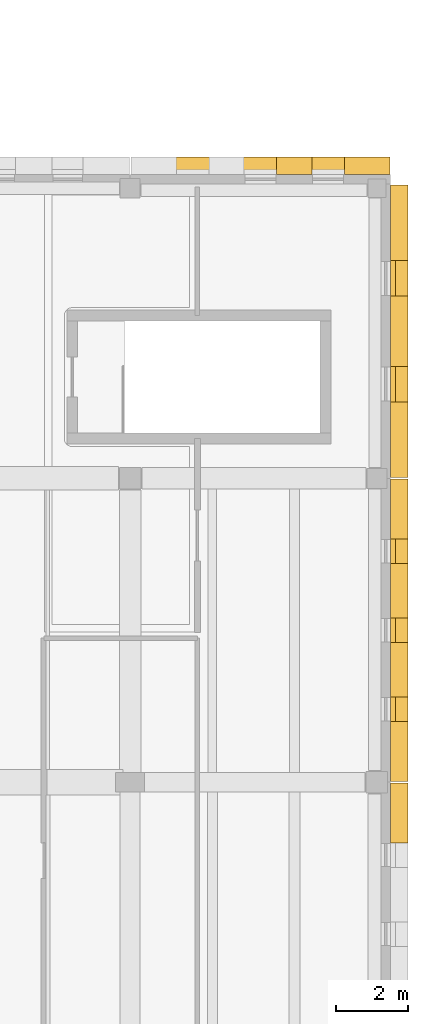
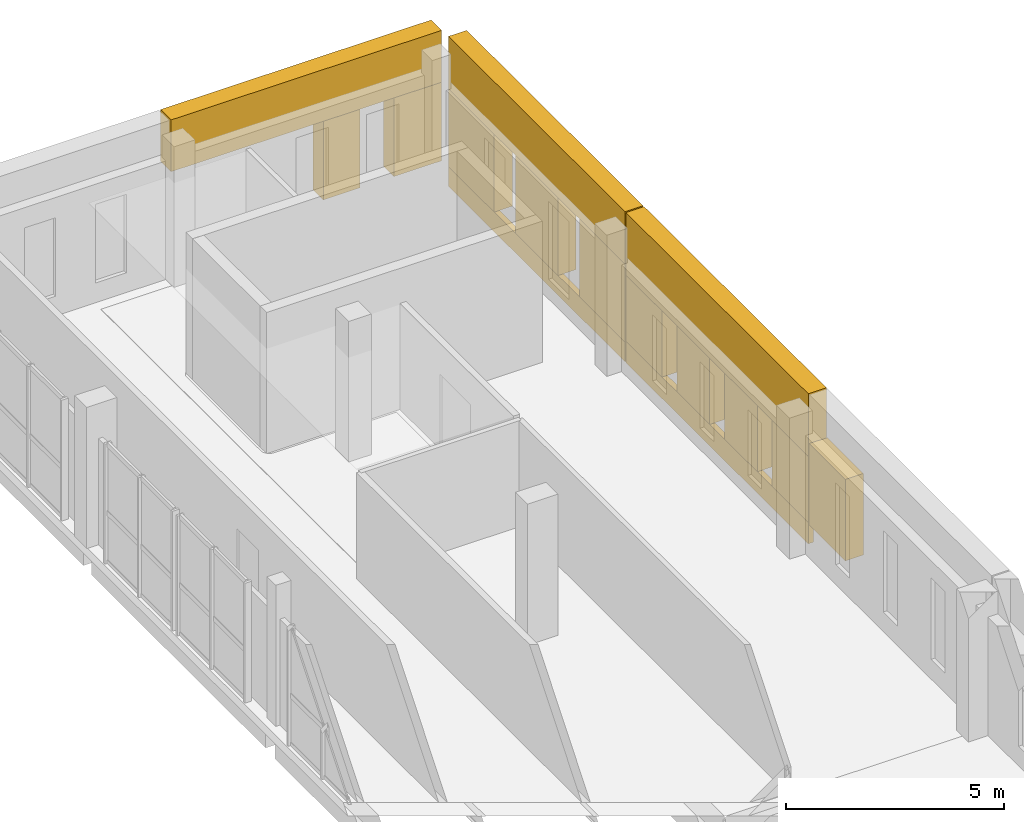
# One storey, part 56 of 56: 15 coverings.
"""IFC4 building model written with IfcOpenShell, lengths in metres."""

from ifc_helpers import new_model, si_unit, direction, frame, origin, place, context, subcontext, project, spatial, polyline, outline, extrude, material, layer, layer_set, type_object, element, save


model = new_model("IFC4")

# Units and contexts
model_context = context("Model", 3, precision=1e-05, world=origin(), true_north=direction((0.0, 1.0)))
body_context = subcontext(model_context, "Body", "Model", "MODEL_VIEW")
ifc_project = project(units=[si_unit("LENGTHUNIT", "METRE"), si_unit("AREAUNIT", "SQUARE_METRE"), si_unit("VOLUMEUNIT", "CUBIC_METRE"), si_unit("PLANEANGLEUNIT", "RADIAN"), si_unit("MASSUNIT", "GRAM", prefix="KILO")], contexts=[model_context])

# Site, building, storey
site_placement = place(None, origin())
site = spatial("IfcSite", under=ifc_project, at=site_placement, CompositionType="ELEMENT")
building_placement = place(site_placement, origin())
building = spatial("IfcBuilding", under=site, at=building_placement, Name="Vardoun Plaza Health Centre", CompositionType="ELEMENT")
storey_placement = place(building_placement, frame((0.0, 0.0, 8.699951171875)))
storey = spatial("IfcBuildingStorey", under=building, at=storey_placement, Name="L02", CompositionType="ELEMENT", Elevation=8.699951171875)

# Coverings
ifc_material = material(Name="Pale Limestone Concrete C35/45", Category="masonry")
ifc_layer = layer(ifc_material, 0.080078125)
ifc_layer_set = layer_set([ifc_layer], Name="Pale Limestone Concrete C35/45")
covering_type = type_object("IfcCoveringType", Name="CL-EXT1", PredefinedType="CLADDING", material=ifc_layer_set)
covering_1_placement = place(storey_placement, frame((0.0, 0.0, 2.75)))
element("IfcCovering", 1, at=covering_1_placement, inside=storey, type_object=covering_type, Name="V6 L02 Sculpted Concrete Eyebrow Hood 1341", PredefinedType="CLADDING", context=body_context, shape_type="SweptSolid", body=[
    extrude(outline(polyline([(158.1201171875, 86.699951171875), (165.280029296875, 86.699951171875), (165.280029296875, 87.179931640625), (158.1201171875, 87.179931640625), (158.1201171875, 86.699951171875)])), origin(), (0.0, 0.0, 1.0), 1.449951171875),
])
covering_2_placement = place(storey_placement, frame((0.0, 0.0, 0.550048828125)))
element("IfcCovering", 2, at=covering_2_placement, inside=storey, type_object=covering_type, Name="V6 L02 Deep-Punched Slot Concrete Reveal Pier 1344", PredefinedType="CLADDING", context=body_context, shape_type="SweptSolid", body=[
    extrude(outline(polyline([(162.14990234375, 86.699951171875), (163.1220703125, 86.699951171875), (163.1220703125, 87.179931640625), (162.14990234375, 87.179931640625), (162.14990234375, 86.699951171875)])), origin(), (0.0, 0.0, 1.0), 2.199951171875),
])
covering_3_placement = place(storey_placement, frame((0.0, 0.0, 0.550048828125)))
element("IfcCovering", 3, at=covering_3_placement, inside=storey, type_object=covering_type, Name="V6 L02 Deep-Punched Slot Concrete Reveal Pier 1345", PredefinedType="CLADDING", context=body_context, shape_type="SweptSolid", body=[
    extrude(outline(polyline([(164.02197265625, 86.699951171875), (165.280029296875, 86.699951171875), (165.280029296875, 87.179931640625), (164.02197265625, 87.179931640625), (164.02197265625, 86.699951171875)])), origin(), (0.0, 0.0, 1.0), 2.199951171875),
])
covering_4_placement = place(storey_placement, origin())
element("IfcCovering", 4, at=covering_4_placement, inside=storey, type_object=covering_type, Name="V6 L02 Pale Concrete Sill Band 1346", PredefinedType="CLADDING", context=body_context, shape_type="SweptSolid", body=[
    extrude(outline(polyline([(165.300048828125, 86.4150390625), (165.300048828125, 78.320068359375), (165.43994140625, 78.320068359375), (165.43994140625, 86.4150390625), (165.300048828125, 86.4150390625)])), origin(), (0.0, 0.0, 1.0), 0.550048828125),
])
covering_5_placement = place(storey_placement, frame((0.0, 0.0, 2.72998046875)))
element("IfcCovering", 5, at=covering_5_placement, inside=storey, type_object=covering_type, Name="V6 L02 Sculpted Concrete Eyebrow Hood 1347", PredefinedType="CLADDING", context=body_context, shape_type="SweptSolid", body=[
    extrude(outline(polyline([(165.300048828125, 86.4150390625), (165.300048828125, 78.320068359375), (165.780029296875, 78.320068359375), (165.780029296875, 86.4150390625), (165.300048828125, 86.4150390625)])), origin(), (0.0, 0.0, 1.0), 1.469970703125),
])
covering_6_placement = place(storey_placement, frame((0.0, 0.0, 0.550048828125)))
element("IfcCovering", 6, at=covering_6_placement, inside=storey, type_object=covering_type, Name="V6 L02 Deep-Punched Slot Concrete Reveal Pier 1348", PredefinedType="CLADDING", context=body_context, shape_type="SweptSolid", body=[
    extrude(outline(polyline([(165.300048828125, 86.4150390625), (165.300048828125, 84.32177734375), (165.780029296875, 84.32177734375), (165.780029296875, 86.4150390625), (165.300048828125, 86.4150390625)])), origin(), (0.0, 0.0, 1.0), 2.179931640625),
])
covering_7_placement = place(storey_placement, frame((0.0, 0.0, 0.550048828125)))
element("IfcCovering", 7, at=covering_7_placement, inside=storey, type_object=covering_type, Name="V6 L02 Deep-Punched Slot Concrete Reveal Pier 1349", PredefinedType="CLADDING", context=body_context, shape_type="SweptSolid", body=[
    extrude(outline(polyline([(165.300048828125, 83.341796875), (165.300048828125, 81.393310546875), (165.780029296875, 81.393310546875), (165.780029296875, 83.341796875), (165.300048828125, 83.341796875)])), origin(), (0.0, 0.0, 1.0), 2.179931640625),
])
covering_8_placement = place(storey_placement, frame((0.0, 0.0, 0.550048828125)))
element("IfcCovering", 8, at=covering_8_placement, inside=storey, type_object=covering_type, Name="V6 L02 Deep-Punched Slot Concrete Reveal Pier 1350", PredefinedType="CLADDING", context=body_context, shape_type="SweptSolid", body=[
    extrude(outline(polyline([(165.300048828125, 80.4130859375), (165.300048828125, 78.320068359375), (165.780029296875, 78.320068359375), (165.780029296875, 80.4130859375), (165.300048828125, 80.4130859375)])), origin(), (0.0, 0.0, 1.0), 2.179931640625),
])
covering_9_placement = place(storey_placement, origin())
element("IfcCovering", 9, at=covering_9_placement, inside=storey, type_object=covering_type, Name="V6 L02 Pale Concrete Sill Band 1351", PredefinedType="CLADDING", context=body_context, shape_type="SweptSolid", body=[
    extrude(outline(polyline([(165.300048828125, 78.280029296875), (165.300048828125, 69.919921875), (165.43994140625, 69.919921875), (165.43994140625, 78.280029296875), (165.300048828125, 78.280029296875)])), origin(), (0.0, 0.0, 1.0), 0.60009765625),
])
covering_10_placement = place(storey_placement, frame((0.0, 0.0, 2.449951171875)))
element("IfcCovering", 10, at=covering_10_placement, inside=storey, type_object=covering_type, Name="V6 L02 Sculpted Concrete Eyebrow Hood 1352", PredefinedType="CLADDING", context=body_context, shape_type="SweptSolid", body=[
    extrude(outline(polyline([(165.300048828125, 78.280029296875), (165.300048828125, 69.919921875), (165.780029296875, 69.919921875), (165.780029296875, 78.280029296875), (165.300048828125, 78.280029296875)])), origin(), (0.0, 0.0, 1.0), 1.75),
])
covering_11_placement = place(storey_placement, frame((0.0, 0.0, 0.60009765625)))
element("IfcCovering", 11, at=covering_11_placement, inside=storey, type_object=covering_type, Name="V6 L02 Deep-Punched Slot Concrete Reveal Pier 1353", PredefinedType="CLADDING", context=body_context, shape_type="SweptSolid", body=[
    extrude(outline(polyline([(165.300048828125, 78.280029296875), (165.300048828125, 76.6240234375), (165.780029296875, 76.6240234375), (165.780029296875, 78.280029296875), (165.300048828125, 78.280029296875)])), origin(), (0.0, 0.0, 1.0), 1.849853515625),
])
covering_12_placement = place(storey_placement, frame((0.0, 0.0, 0.60009765625)))
element("IfcCovering", 12, at=covering_12_placement, inside=storey, type_object=covering_type, Name="V6 L02 Deep-Punched Slot Concrete Reveal Pier 1354", PredefinedType="CLADDING", context=body_context, shape_type="SweptSolid", body=[
    extrude(outline(polyline([(165.300048828125, 75.944091796875), (165.300048828125, 74.43994140625), (165.780029296875, 74.43994140625), (165.780029296875, 75.944091796875), (165.300048828125, 75.944091796875)])), origin(), (0.0, 0.0, 1.0), 1.849853515625),
])
covering_13_placement = place(storey_placement, frame((0.0, 0.0, 0.60009765625)))
element("IfcCovering", 13, at=covering_13_placement, inside=storey, type_object=covering_type, Name="V6 L02 Deep-Punched Slot Concrete Reveal Pier 1355", PredefinedType="CLADDING", context=body_context, shape_type="SweptSolid", body=[
    extrude(outline(polyline([(165.300048828125, 73.760009765625), (165.300048828125, 72.256103515625), (165.780029296875, 72.256103515625), (165.780029296875, 73.760009765625), (165.300048828125, 73.760009765625)])), origin(), (0.0, 0.0, 1.0), 1.849853515625),
])
covering_14_placement = place(storey_placement, frame((0.0, 0.0, 0.60009765625)))
element("IfcCovering", 14, at=covering_14_placement, inside=storey, type_object=covering_type, Name="V6 L02 Deep-Punched Slot Concrete Reveal Pier 1356", PredefinedType="CLADDING", context=body_context, shape_type="SweptSolid", body=[
    extrude(outline(polyline([(165.300048828125, 71.575927734375), (165.300048828125, 69.919921875), (165.780029296875, 69.919921875), (165.780029296875, 71.575927734375), (165.300048828125, 71.575927734375)])), origin(), (0.0, 0.0, 1.0), 1.849853515625),
])
covering_15_placement = place(storey_placement, frame((0.0, 0.0, 0.550048828125)))
element("IfcCovering", 15, at=covering_15_placement, inside=storey, type_object=covering_type, Name="V6 L02 Deep-Punched Slot Concrete Reveal Pier 1359", PredefinedType="CLADDING", context=body_context, shape_type="SweptSolid", body=[
    extrude(outline(polyline([(165.300048828125, 69.8798828125), (165.300048828125, 68.22412109375), (165.780029296875, 68.22412109375), (165.780029296875, 69.8798828125), (165.300048828125, 69.8798828125)])), origin(), (0.0, 0.0, 1.0), 2.280029296875),
])

save(model, "model.ifc")
